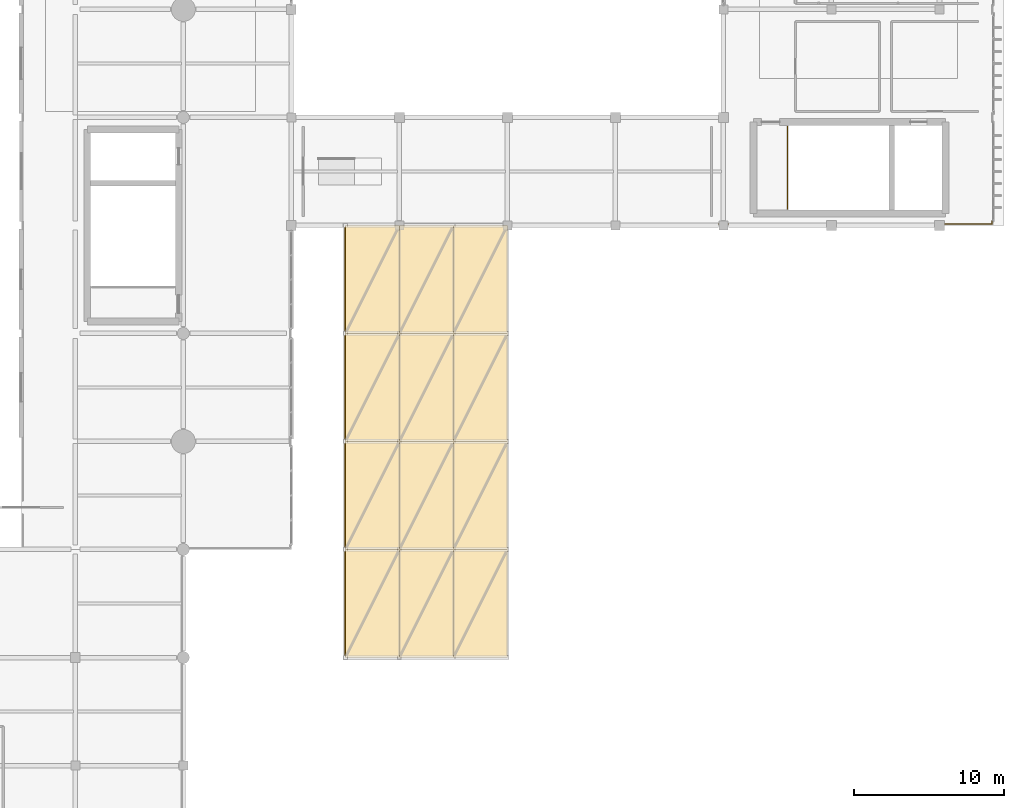
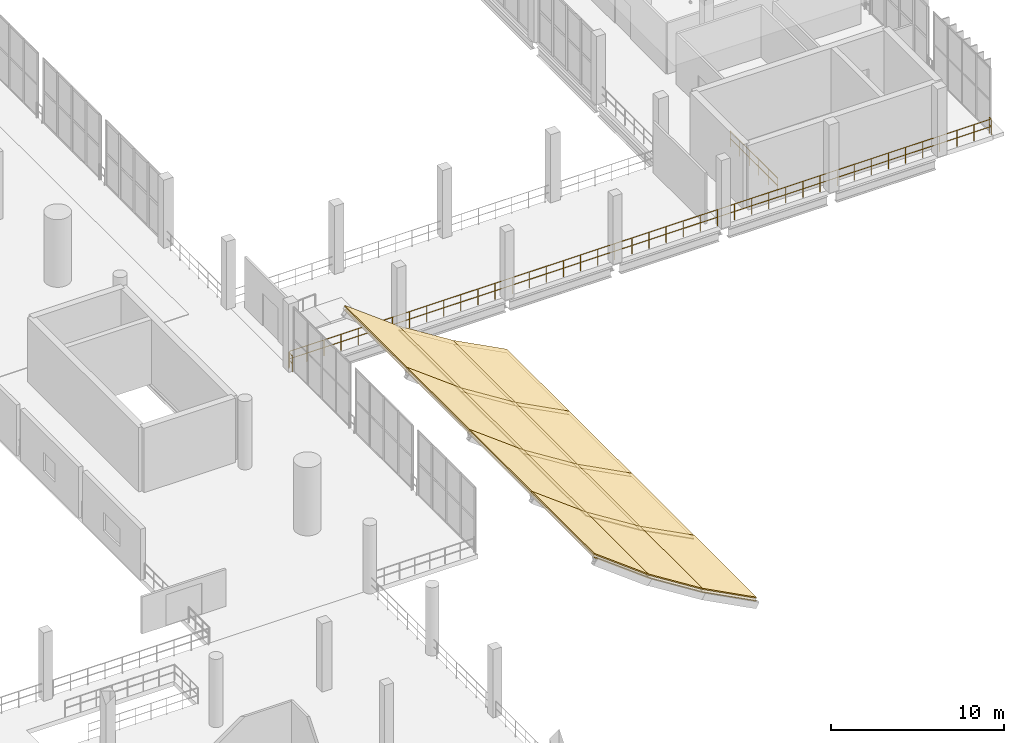
# One storey, part 103 of 105: 24 coverings, 2 railings.
"""IFC4 building model written with IfcOpenShell, lengths in metres."""

from ifc_helpers import new_model, si_unit, direction, frame, origin, origin_2d, place, context, subcontext, project, spatial, polyline, circle, outline, extrude, material, layer, layer_set, type_object, element, save


model = new_model("IFC4")

# Units and contexts
model_context = context("Model", 3, precision=1e-05, world=origin(), true_north=direction((0.0, 1.0)))
body_context = subcontext(model_context, "Body", "Model", "MODEL_VIEW")
ifc_project = project(units=[si_unit("LENGTHUNIT", "METRE"), si_unit("AREAUNIT", "SQUARE_METRE"), si_unit("VOLUMEUNIT", "CUBIC_METRE"), si_unit("PLANEANGLEUNIT", "RADIAN"), si_unit("MASSUNIT", "GRAM", prefix="KILO")], contexts=[model_context])

# Site, building, storey
site_placement = place(None, origin())
site = spatial("IfcSite", under=ifc_project, at=site_placement, CompositionType="ELEMENT")
building_placement = place(site_placement, origin())
building = spatial("IfcBuilding", under=site, at=building_placement, Name="Qandorah Velis Arena", CompositionType="ELEMENT")
storey_placement = place(building_placement, frame((0.0, 0.0, 13.800048828125)))
storey = spatial("IfcBuildingStorey", under=building, at=storey_placement, Name="L03", CompositionType="ELEMENT", Elevation=13.800048828125)

# Coverings
ifc_material_1 = material(Name="Glulam GL28h", Category="wood")
ifc_layer_1 = layer(ifc_material_1, 0.06494140625)
ifc_layer_set_1 = layer_set([ifc_layer_1], Name="Glulam GL28h")
covering_type_1 = type_object("IfcCoveringType", Name="ARC-COV-GLULAM", PredefinedType="CEILING", material=ifc_layer_set_1)
covering_1_placement = place(storey_placement, frame((126.0, 14.39990234375, 2.91845703125), z_axis=(0.601679998928, 0.0, 0.798737240205), x_axis=(0.798737240205, 0.0, -0.601679998928)))
element("IfcCovering", 1, at=covering_1_placement, inside=storey, type_object=covering_type_1, Name="Sweeping canopy Glulam GL28h acoustic soffit 1.04", PredefinedType="CEILING", context=body_context, shape_type="SweptSolid", body=[
    extrude(outline(polyline([(0.0, 0.0), (4.507236516638771, 0.0), (4.507236516638771, 7.2001953125), (0.0, 7.2001953125), (0.0, 0.0)])), origin(), (0.0, 0.0, -1.0), 0.06494140625),
])
covering_2_placement = place(storey_placement, frame((129.60009765625, 14.39990234375, 0.20654296875), z_axis=(0.533064356143, 0.0, 0.84607469659), x_axis=(0.84607469659, 0.0, -0.533064356143)))
element("IfcCovering", 2, at=covering_2_placement, inside=storey, type_object=covering_type_1, Name="Sweeping canopy Glulam GL28h acoustic soffit 1.05", PredefinedType="CEILING", context=body_context, shape_type="SweptSolid", body=[
    extrude(outline(polyline([(0.0, 0.0), (4.254770329538066, 0.0), (4.254770329538066, 7.2001953125), (0.0, 7.2001953125), (0.0, 0.0)])), origin(), (0.0, 0.0, -1.0), 0.06494140625),
])
covering_3_placement = place(storey_placement, frame((133.199951171875, 14.39990234375, -2.0615234375), z_axis=(0.464332383391, 0.0, 0.885661017396), x_axis=(0.885661017396, 0.0, -0.464332383391)))
element("IfcCovering", 3, at=covering_3_placement, inside=storey, type_object=covering_type_1, Name="Sweeping canopy Glulam GL28h acoustic soffit 1.06", PredefinedType="CEILING", context=body_context, shape_type="SweptSolid", body=[
    extrude(outline(polyline([(0.0, 0.0), (4.0648708541292, 0.0), (4.0648708541292, 7.200195312500002), (0.0, 7.200195312500002), (0.0, 0.0)])), origin(), (0.0, 0.0, -1.0), 0.06494140625),
])
covering_4_placement = place(storey_placement, frame((126.0, 21.60009765625, 2.91845703125), z_axis=(0.601679998928, 0.0, 0.798737240205), x_axis=(0.798737240205, 0.0, -0.601679998928)))
element("IfcCovering", 4, at=covering_4_placement, inside=storey, type_object=covering_type_1, Name="Sweeping canopy Glulam GL28h acoustic soffit 2.04", PredefinedType="CEILING", context=body_context, shape_type="SweptSolid", body=[
    extrude(outline(polyline([(0.0, 0.0), (4.507236516638771, 0.0), (4.507236516638771, 7.199951171875), (0.0, 7.199951171875), (0.0, 0.0)])), origin(), (0.0, 0.0, -1.0), 0.06494140625),
])
covering_5_placement = place(storey_placement, frame((129.60009765625, 21.60009765625, 0.20654296875), z_axis=(0.533064356143, 0.0, 0.84607469659), x_axis=(0.84607469659, 0.0, -0.533064356143)))
element("IfcCovering", 5, at=covering_5_placement, inside=storey, type_object=covering_type_1, Name="Sweeping canopy Glulam GL28h acoustic soffit 2.05", PredefinedType="CEILING", context=body_context, shape_type="SweptSolid", body=[
    extrude(outline(polyline([(0.0, 0.0), (4.254770329538066, 0.0), (4.254770329538066, 7.199951171875), (0.0, 7.199951171875), (0.0, 0.0)])), origin(), (0.0, 0.0, -1.0), 0.06494140625),
])
covering_6_placement = place(storey_placement, frame((133.199951171875, 21.60009765625, -2.0615234375), z_axis=(0.464332383391, 0.0, 0.885661017396), x_axis=(0.885661017396, 0.0, -0.464332383391)))
element("IfcCovering", 6, at=covering_6_placement, inside=storey, type_object=covering_type_1, Name="Sweeping canopy Glulam GL28h acoustic soffit 2.06", PredefinedType="CEILING", context=body_context, shape_type="SweptSolid", body=[
    extrude(outline(polyline([(0.0, 0.0), (4.0648708541292, 0.0), (4.0648708541292, 7.199951171875002), (0.0, 7.199951171875002), (0.0, 0.0)])), origin(), (0.0, 0.0, -1.0), 0.06494140625),
])
covering_7_placement = place(storey_placement, frame((126.0, 28.800048828125, 2.91845703125), z_axis=(0.601679998928, 0.0, 0.798737240205), x_axis=(0.798737240205, 0.0, -0.601679998928)))
element("IfcCovering", 7, at=covering_7_placement, inside=storey, type_object=covering_type_1, Name="Sweeping canopy Glulam GL28h acoustic soffit 3.04", PredefinedType="CEILING", context=body_context, shape_type="SweptSolid", body=[
    extrude(outline(polyline([(0.0, 0.0), (4.507236516638771, 0.0), (4.507236516638771, 7.199951171875), (0.0, 7.199951171875), (0.0, 0.0)])), origin(), (0.0, 0.0, -1.0), 0.06494140625),
])
covering_8_placement = place(storey_placement, frame((129.60009765625, 28.800048828125, 0.20654296875), z_axis=(0.533064356143, 0.0, 0.84607469659), x_axis=(0.84607469659, 0.0, -0.533064356143)))
element("IfcCovering", 8, at=covering_8_placement, inside=storey, type_object=covering_type_1, Name="Sweeping canopy Glulam GL28h acoustic soffit 3.05", PredefinedType="CEILING", context=body_context, shape_type="SweptSolid", body=[
    extrude(outline(polyline([(0.0, 0.0), (4.254770329538066, 0.0), (4.254770329538066, 7.199951171875), (0.0, 7.199951171875), (0.0, 0.0)])), origin(), (0.0, 0.0, -1.0), 0.06494140625),
])
covering_9_placement = place(storey_placement, frame((133.199951171875, 28.800048828125, -2.0615234375), z_axis=(0.464332383391, 0.0, 0.885661017396), x_axis=(0.885661017396, 0.0, -0.464332383391)))
element("IfcCovering", 9, at=covering_9_placement, inside=storey, type_object=covering_type_1, Name="Sweeping canopy Glulam GL28h acoustic soffit 3.06", PredefinedType="CEILING", context=body_context, shape_type="SweptSolid", body=[
    extrude(outline(polyline([(0.0, 0.0), (4.0648708541292, 0.0), (4.0648708541292, 7.199951171875002), (0.0, 7.199951171875002), (0.0, 0.0)])), origin(), (0.0, 0.0, -1.0), 0.06494140625),
])
covering_10_placement = place(storey_placement, frame((126.0, 36.0, 2.91845703125), z_axis=(0.601679998928, 0.0, 0.798737240205), x_axis=(0.798737240205, 0.0, -0.601679998928)))
element("IfcCovering", 10, at=covering_10_placement, inside=storey, type_object=covering_type_1, Name="Sweeping canopy Glulam GL28h acoustic soffit 4.04", PredefinedType="CEILING", context=body_context, shape_type="SweptSolid", body=[
    extrude(outline(polyline([(0.0, 0.0), (4.507236516638771, 0.0), (4.507236516638771, 7.199951171875), (0.0, 7.199951171875), (0.0, 0.0)])), origin(), (0.0, 0.0, -1.0), 0.06494140625),
])
covering_11_placement = place(storey_placement, frame((129.60009765625, 36.0, 0.20654296875), z_axis=(0.533064356143, 0.0, 0.84607469659), x_axis=(0.84607469659, 0.0, -0.533064356143)))
element("IfcCovering", 11, at=covering_11_placement, inside=storey, type_object=covering_type_1, Name="Sweeping canopy Glulam GL28h acoustic soffit 4.05", PredefinedType="CEILING", context=body_context, shape_type="SweptSolid", body=[
    extrude(outline(polyline([(0.0, 0.0), (4.254770329538066, 0.0), (4.254770329538066, 7.199951171875), (0.0, 7.199951171875), (0.0, 0.0)])), origin(), (0.0, 0.0, -1.0), 0.06494140625),
])
covering_12_placement = place(storey_placement, frame((133.199951171875, 36.0, -2.0615234375), z_axis=(0.464332383391, 0.0, 0.885661017396), x_axis=(0.885661017396, 0.0, -0.464332383391)))
element("IfcCovering", 12, at=covering_12_placement, inside=storey, type_object=covering_type_1, Name="Sweeping canopy Glulam GL28h acoustic soffit 4.06", PredefinedType="CEILING", context=body_context, shape_type="SweptSolid", body=[
    extrude(outline(polyline([(0.0, 0.0), (4.0648708541292, 0.0), (4.0648708541292, 7.199951171875002), (0.0, 7.199951171875002), (0.0, 0.0)])), origin(), (0.0, 0.0, -1.0), 0.06494140625),
])
ifc_material_2 = material(Name="Insulated high-albedo standing-seam aluminium roofing", Category="aluminium")
ifc_layer_2 = layer(ifc_material_2, 0.080078125)
ifc_layer_set_2 = layer_set([ifc_layer_2], Name="Insulated high-albedo standing-seam aluminium roofing")
covering_type_2 = type_object("IfcCoveringType", Name="ARC-COV-ROOF", PredefinedType="ROOFING", material=ifc_layer_set_2)
covering_13_placement = place(storey_placement, frame((126.0, 14.39990234375, 3.16357421875), z_axis=(0.601714554361, 0.0, 0.798711208805), x_axis=(0.798711208805, 0.0, -0.601714554361)))
element("IfcCovering", 13, at=covering_13_placement, inside=storey, type_object=covering_type_2, Name="Sweeping canopy standing-seam roof 1.04", PredefinedType="ROOFING", context=body_context, shape_type="SweptSolid", body=[
    extrude(outline(polyline([(0.0, 0.0), (4.50738341538802, 0.0), (4.50738341538802, 7.200195312499999), (0.0, 7.200195312499999), (0.0, 0.0)])), origin(), (0.0, 0.0, -1.0), 0.074951171875),
])
covering_14_placement = place(storey_placement, frame((129.60009765625, 14.39990234375, 0.451416015625), z_axis=(0.533023278901, 0.0, 0.84610057567), x_axis=(0.84610057567, 0.0, -0.533023278901)))
element("IfcCovering", 14, at=covering_14_placement, inside=storey, type_object=covering_type_2, Name="Sweeping canopy standing-seam roof 1.05", PredefinedType="ROOFING", context=body_context, shape_type="SweptSolid", body=[
    extrude(outline(polyline([(0.0, 0.0), (4.254640191887227, 0.0), (4.254640191887227, 7.2001953125), (0.0, 7.2001953125), (0.0, 0.0)])), origin(), (0.0, 0.0, -1.0), 0.074951171875),
])
covering_15_placement = place(storey_placement, frame((133.199951171875, 14.39990234375, -1.81640625), z_axis=(0.464379493075, 0.0, 0.885636317238), x_axis=(0.885636317238, 0.0, -0.464379493075)))
element("IfcCovering", 15, at=covering_15_placement, inside=storey, type_object=covering_type_2, Name="Sweeping canopy standing-seam roof 1.06", PredefinedType="ROOFING", context=body_context, shape_type="SweptSolid", body=[
    extrude(outline(polyline([(0.0, 0.0), (4.064984222278264, 0.0), (4.064984222278264, 7.2001953125), (0.0, 7.2001953125), (0.0, 0.0)])), origin(), (0.0, 0.0, -1.0), 0.074951171875),
])
covering_16_placement = place(storey_placement, frame((126.0, 21.60009765625, 3.16357421875), z_axis=(0.601714554361, 0.0, 0.798711208805), x_axis=(0.798711208805, 0.0, -0.601714554361)))
element("IfcCovering", 16, at=covering_16_placement, inside=storey, type_object=covering_type_2, Name="Sweeping canopy standing-seam roof 2.04", PredefinedType="ROOFING", context=body_context, shape_type="SweptSolid", body=[
    extrude(outline(polyline([(0.0, 0.0), (4.50738341538802, 0.0), (4.50738341538802, 7.199951171874999), (0.0, 7.199951171874999), (0.0, 0.0)])), origin(), (0.0, 0.0, -1.0), 0.074951171875),
])
covering_17_placement = place(storey_placement, frame((129.60009765625, 21.60009765625, 0.451416015625), z_axis=(0.533023278901, 0.0, 0.84610057567), x_axis=(0.84610057567, 0.0, -0.533023278901)))
element("IfcCovering", 17, at=covering_17_placement, inside=storey, type_object=covering_type_2, Name="Sweeping canopy standing-seam roof 2.05", PredefinedType="ROOFING", context=body_context, shape_type="SweptSolid", body=[
    extrude(outline(polyline([(0.0, 0.0), (4.254640191887227, 0.0), (4.254640191887227, 7.199951171875), (0.0, 7.199951171875), (0.0, 0.0)])), origin(), (0.0, 0.0, -1.0), 0.074951171875),
])
covering_18_placement = place(storey_placement, frame((133.199951171875, 21.60009765625, -1.81640625), z_axis=(0.464379493075, 0.0, 0.885636317238), x_axis=(0.885636317238, 0.0, -0.464379493075)))
element("IfcCovering", 18, at=covering_18_placement, inside=storey, type_object=covering_type_2, Name="Sweeping canopy standing-seam roof 2.06", PredefinedType="ROOFING", context=body_context, shape_type="SweptSolid", body=[
    extrude(outline(polyline([(0.0, 0.0), (4.064984222278264, 0.0), (4.064984222278264, 7.199951171875), (0.0, 7.199951171875), (0.0, 0.0)])), origin(), (0.0, 0.0, -1.0), 0.074951171875),
])
covering_19_placement = place(storey_placement, frame((126.0, 28.800048828125, 3.16357421875), z_axis=(0.601714554361, 0.0, 0.798711208805), x_axis=(0.798711208805, 0.0, -0.601714554361)))
element("IfcCovering", 19, at=covering_19_placement, inside=storey, type_object=covering_type_2, Name="Sweeping canopy standing-seam roof 3.04", PredefinedType="ROOFING", context=body_context, shape_type="SweptSolid", body=[
    extrude(outline(polyline([(0.0, 0.0), (4.50738341538802, 0.0), (4.50738341538802, 7.199951171874999), (0.0, 7.199951171874999), (0.0, 0.0)])), origin(), (0.0, 0.0, -1.0), 0.074951171875),
])
covering_20_placement = place(storey_placement, frame((129.60009765625, 28.800048828125, 0.451416015625), z_axis=(0.533023278901, 0.0, 0.84610057567), x_axis=(0.84610057567, 0.0, -0.533023278901)))
element("IfcCovering", 20, at=covering_20_placement, inside=storey, type_object=covering_type_2, Name="Sweeping canopy standing-seam roof 3.05", PredefinedType="ROOFING", context=body_context, shape_type="SweptSolid", body=[
    extrude(outline(polyline([(0.0, 0.0), (4.254640191887227, 0.0), (4.254640191887227, 7.199951171875), (0.0, 7.199951171875), (0.0, 0.0)])), origin(), (0.0, 0.0, -1.0), 0.074951171875),
])
covering_21_placement = place(storey_placement, frame((133.199951171875, 28.800048828125, -1.81640625), z_axis=(0.464379493075, 0.0, 0.885636317238), x_axis=(0.885636317238, 0.0, -0.464379493075)))
element("IfcCovering", 21, at=covering_21_placement, inside=storey, type_object=covering_type_2, Name="Sweeping canopy standing-seam roof 3.06", PredefinedType="ROOFING", context=body_context, shape_type="SweptSolid", body=[
    extrude(outline(polyline([(0.0, 0.0), (4.064984222278264, 0.0), (4.064984222278264, 7.199951171875), (0.0, 7.199951171875), (0.0, 0.0)])), origin(), (0.0, 0.0, -1.0), 0.074951171875),
])
covering_22_placement = place(storey_placement, frame((126.0, 36.0, 3.16357421875), z_axis=(0.601714554361, 0.0, 0.798711208805), x_axis=(0.798711208805, 0.0, -0.601714554361)))
element("IfcCovering", 22, at=covering_22_placement, inside=storey, type_object=covering_type_2, Name="Sweeping canopy standing-seam roof 4.04", PredefinedType="ROOFING", context=body_context, shape_type="SweptSolid", body=[
    extrude(outline(polyline([(0.0, 0.0), (4.50738341538802, 0.0), (4.50738341538802, 7.199951171874999), (0.0, 7.199951171874999), (0.0, 0.0)])), origin(), (0.0, 0.0, -1.0), 0.074951171875),
])
covering_23_placement = place(storey_placement, frame((129.60009765625, 36.0, 0.451416015625), z_axis=(0.533023278901, 0.0, 0.84610057567), x_axis=(0.84610057567, 0.0, -0.533023278901)))
element("IfcCovering", 23, at=covering_23_placement, inside=storey, type_object=covering_type_2, Name="Sweeping canopy standing-seam roof 4.05", PredefinedType="ROOFING", context=body_context, shape_type="SweptSolid", body=[
    extrude(outline(polyline([(0.0, 0.0), (4.254640191887227, 0.0), (4.254640191887227, 7.199951171875), (0.0, 7.199951171875), (0.0, 0.0)])), origin(), (0.0, 0.0, -1.0), 0.074951171875),
])
covering_24_placement = place(storey_placement, frame((133.199951171875, 36.0, -1.81640625), z_axis=(0.464379493075, 0.0, 0.885636317238), x_axis=(0.885636317238, 0.0, -0.464379493075)))
element("IfcCovering", 24, at=covering_24_placement, inside=storey, type_object=covering_type_2, Name="Sweeping canopy standing-seam roof 4.06", PredefinedType="ROOFING", context=body_context, shape_type="SweptSolid", body=[
    extrude(outline(polyline([(0.0, 0.0), (4.064984222278264, 0.0), (4.064984222278264, 7.199951171875), (0.0, 7.199951171875), (0.0, 0.0)])), origin(), (0.0, 0.0, -1.0), 0.074951171875),
])

# Railings
ifc_material_3 = material(Name="Stainless steel 316", Category="steel")
railing_type = type_object("IfcRailingType", Name="ARC-RL-GRD1150", PredefinedType="GUARDRAIL", material=ifc_material_3)
railing_1_placement = place(storey_placement, frame((155.469970703125, 44.31005859375, 0.0)))
element("IfcRailing", 25, at=railing_1_placement, inside=storey, type_object=railing_type, Name="Stair ST7 top well guardrail L03", PredefinedType="GUARDRAIL", context=body_context, shape_type="SweptSolid", body=[
    extrude(circle(Radius=0.02392578125, at=origin_2d()), frame((0.0, 0.0, 1.1259765625), z_axis=(0.0, 1.0, 0.0), x_axis=(-1.0, 0.0, 0.0)), (0.0, 0.0, 1.0), 5.47998046875),
    extrude(circle(Radius=0.02392578125, at=origin_2d()), frame((0.0, 0.0, 0.597900390625), z_axis=(0.0, 1.0, 0.0), x_axis=(-1.0, 0.0, 0.0)), (0.0, 0.0, 1.0), 5.47998046875),
    extrude(circle(Radius=0.02099609375, at=origin_2d()), origin(), (0.0, 0.0, 1.0), 1.101806640625),
    extrude(circle(Radius=0.02099609375, at=origin_2d()), frame((0.0, 1.095947265625, 0.0)), (0.0, 0.0, 1.0), 1.101806640625),
    extrude(circle(Radius=0.02099609375, at=origin_2d()), frame((0.0, 2.19189453125, 0.0)), (0.0, 0.0, 1.0), 1.101806640625),
    extrude(circle(Radius=0.02099609375, at=origin_2d()), frame((0.0, 3.2880859375, 0.0)), (0.0, 0.0, 1.0), 1.101806640625),
    extrude(circle(Radius=0.02099609375, at=origin_2d()), frame((0.0, 4.384033203125, 0.0)), (0.0, 0.0, 1.0), 1.101806640625),
    extrude(circle(Radius=0.02099609375, at=origin_2d()), frame((0.0, 5.47998046875, 0.0)), (0.0, 0.0, 1.0), 1.101806640625),
])
railing_2_placement = place(storey_placement, frame((169.10009765625, 43.5, 0.0)))
element("IfcRailing", 26, at=railing_2_placement, inside=storey, type_object=railing_type, Name="Slab edge safety guardrail L03-202", PredefinedType="GUARDRAIL", context=body_context, shape_type="SweptSolid", body=[
    extrude(circle(Radius=0.02392578125, at=origin_2d()), frame((0.0, 0.0, 1.1259765625), z_axis=(0.0, -1.0, 0.0), x_axis=(1.0, 0.0, 0.0)), (0.0, 0.0, 1.0), 0.199951171875),
    extrude(circle(Radius=0.02392578125, at=origin_2d()), frame((0.0, 0.0, 0.597900390625), z_axis=(0.0, -1.0, 0.0), x_axis=(1.0, 0.0, 0.0)), (0.0, 0.0, 1.0), 0.199951171875),
    extrude(circle(Radius=0.02392578125, at=origin_2d()), frame((0.0, -0.199951171875, 1.1259765625), z_axis=(-1.0, 0.0, 0.0), x_axis=(0.0, -1.0, 0.0)), (0.0, 0.0, 1.0), 46.7001953125),
    extrude(circle(Radius=0.02392578125, at=origin_2d()), frame((0.0, -0.199951171875, 0.597900390625), z_axis=(-1.0, 0.0, 0.0), x_axis=(0.0, -1.0, 0.0)), (0.0, 0.0, 1.0), 46.7001953125),
    extrude(circle(Radius=0.02392578125, at=origin_2d()), frame((-46.7001953125, -0.199951171875, 1.1259765625), z_axis=(-0.77215252196, -0.635437237523, 0.0), x_axis=(0.635437237523, -0.77215252196, 0.0)), (0.0, 0.0, 1.0), 0.126708984375),
    extrude(circle(Radius=0.02392578125, at=origin_2d()), frame((-46.7001953125, -0.199951171875, 0.597900390625), z_axis=(-0.77215252196, -0.635437237523, 0.0), x_axis=(0.635437237523, -0.77215252196, 0.0)), (0.0, 0.0, 1.0), 0.126708984375),
    extrude(circle(Radius=0.02392578125, at=origin_2d()), frame((-46.798095703125, -0.280517578125, 1.1259765625), z_axis=(-0.00528743435, -0.999986021421, 0.0), x_axis=(0.999986021421, -0.00528743435, 0.0)), (0.0, 0.0, 1.0), 0.369384765625),
    extrude(circle(Radius=0.02392578125, at=origin_2d()), frame((-46.798095703125, -0.280517578125, 0.597900390625), z_axis=(-0.00528743435, -0.999986021421, 0.0), x_axis=(0.999986021421, -0.00528743435, 0.0)), (0.0, 0.0, 1.0), 0.369384765625),
    extrude(circle(Radius=0.02099609375, at=origin_2d()), origin(), (0.0, 0.0, 1.0), 1.101806640625),
    extrude(circle(Radius=0.02099609375, at=origin_2d()), frame((0.0, -0.199951171875, 0.0)), (0.0, 0.0, 1.0), 1.101806640625),
    extrude(circle(Radius=0.02099609375, at=origin_2d()), frame((-1.138916015625, -0.199951171875, 0.0)), (0.0, 0.0, 1.0), 1.101806640625),
    extrude(circle(Radius=0.02099609375, at=origin_2d()), frame((-2.278076171875, -0.199951171875, 0.0)), (0.0, 0.0, 1.0), 1.101806640625),
    extrude(circle(Radius=0.02099609375, at=origin_2d()), frame((-3.4169921875, -0.199951171875, 0.0)), (0.0, 0.0, 1.0), 1.101806640625),
    extrude(circle(Radius=0.02099609375, at=origin_2d()), frame((-4.55615234375, -0.199951171875, 0.0)), (0.0, 0.0, 1.0), 1.101806640625),
    extrude(circle(Radius=0.02099609375, at=origin_2d()), frame((-5.695068359375, -0.199951171875, 0.0)), (0.0, 0.0, 1.0), 1.101806640625),
    extrude(circle(Radius=0.02099609375, at=origin_2d()), frame((-6.834228515625, -0.199951171875, 0.0)), (0.0, 0.0, 1.0), 1.101806640625),
    extrude(circle(Radius=0.02099609375, at=origin_2d()), frame((-7.97314453125, -0.199951171875, 0.0)), (0.0, 0.0, 1.0), 1.101806640625),
    extrude(circle(Radius=0.02099609375, at=origin_2d()), frame((-9.1123046875, -0.199951171875, 0.0)), (0.0, 0.0, 1.0), 1.101806640625),
    extrude(circle(Radius=0.02099609375, at=origin_2d()), frame((-10.251220703125, -0.199951171875, 0.0)), (0.0, 0.0, 1.0), 1.101806640625),
    extrude(circle(Radius=0.02099609375, at=origin_2d()), frame((-11.390380859375, -0.199951171875, 0.0)), (0.0, 0.0, 1.0), 1.101806640625),
    extrude(circle(Radius=0.02099609375, at=origin_2d()), frame((-12.529296875, -0.199951171875, 0.0)), (0.0, 0.0, 1.0), 1.101806640625),
    extrude(circle(Radius=0.02099609375, at=origin_2d()), frame((-13.66845703125, -0.199951171875, 0.0)), (0.0, 0.0, 1.0), 1.101806640625),
    extrude(circle(Radius=0.02099609375, at=origin_2d()), frame((-14.807373046875, -0.199951171875, 0.0)), (0.0, 0.0, 1.0), 1.101806640625),
    extrude(circle(Radius=0.02099609375, at=origin_2d()), frame((-15.9462890625, -0.199951171875, 0.0)), (0.0, 0.0, 1.0), 1.101806640625),
    extrude(circle(Radius=0.02099609375, at=origin_2d()), frame((-17.08544921875, -0.199951171875, 0.0)), (0.0, 0.0, 1.0), 1.101806640625),
    extrude(circle(Radius=0.02099609375, at=origin_2d()), frame((-18.224365234375, -0.199951171875, 0.0)), (0.0, 0.0, 1.0), 1.101806640625),
    extrude(circle(Radius=0.02099609375, at=origin_2d()), frame((-19.363525390625, -0.199951171875, 0.0)), (0.0, 0.0, 1.0), 1.101806640625),
    extrude(circle(Radius=0.02099609375, at=origin_2d()), frame((-20.50244140625, -0.199951171875, 0.0)), (0.0, 0.0, 1.0), 1.101806640625),
    extrude(circle(Radius=0.02099609375, at=origin_2d()), frame((-21.6416015625, -0.199951171875, 0.0)), (0.0, 0.0, 1.0), 1.101806640625),
    extrude(circle(Radius=0.02099609375, at=origin_2d()), frame((-22.780517578125, -0.199951171875, 0.0)), (0.0, 0.0, 1.0), 1.101806640625),
    extrude(circle(Radius=0.02099609375, at=origin_2d()), frame((-23.919677734375, -0.199951171875, 0.0)), (0.0, 0.0, 1.0), 1.101806640625),
    extrude(circle(Radius=0.02099609375, at=origin_2d()), frame((-25.05859375, -0.199951171875, 0.0)), (0.0, 0.0, 1.0), 1.101806640625),
    extrude(circle(Radius=0.02099609375, at=origin_2d()), frame((-26.19775390625, -0.199951171875, 0.0)), (0.0, 0.0, 1.0), 1.101806640625),
    extrude(circle(Radius=0.02099609375, at=origin_2d()), frame((-27.336669921875, -0.199951171875, 0.0)), (0.0, 0.0, 1.0), 1.101806640625),
    extrude(circle(Radius=0.02099609375, at=origin_2d()), frame((-28.475830078125, -0.199951171875, 0.0)), (0.0, 0.0, 1.0), 1.101806640625),
    extrude(circle(Radius=0.02099609375, at=origin_2d()), frame((-29.61474609375, -0.199951171875, 0.0)), (0.0, 0.0, 1.0), 1.101806640625),
    extrude(circle(Radius=0.02099609375, at=origin_2d()), frame((-30.75390625, -0.199951171875, 0.0)), (0.0, 0.0, 1.0), 1.101806640625),
    extrude(circle(Radius=0.02099609375, at=origin_2d()), frame((-31.892822265625, -0.199951171875, 0.0)), (0.0, 0.0, 1.0), 1.101806640625),
    extrude(circle(Radius=0.02099609375, at=origin_2d()), frame((-33.03173828125, -0.199951171875, 0.0)), (0.0, 0.0, 1.0), 1.101806640625),
    extrude(circle(Radius=0.02099609375, at=origin_2d()), frame((-34.1708984375, -0.199951171875, 0.0)), (0.0, 0.0, 1.0), 1.101806640625),
    extrude(circle(Radius=0.02099609375, at=origin_2d()), frame((-35.309814453125, -0.199951171875, 0.0)), (0.0, 0.0, 1.0), 1.101806640625),
    extrude(circle(Radius=0.02099609375, at=origin_2d()), frame((-36.448974609375, -0.199951171875, 0.0)), (0.0, 0.0, 1.0), 1.101806640625),
    extrude(circle(Radius=0.02099609375, at=origin_2d()), frame((-37.587890625, -0.199951171875, 0.0)), (0.0, 0.0, 1.0), 1.101806640625),
    extrude(circle(Radius=0.02099609375, at=origin_2d()), frame((-38.72705078125, -0.199951171875, 0.0)), (0.0, 0.0, 1.0), 1.101806640625),
    extrude(circle(Radius=0.02099609375, at=origin_2d()), frame((-39.865966796875, -0.199951171875, 0.0)), (0.0, 0.0, 1.0), 1.101806640625),
    extrude(circle(Radius=0.02099609375, at=origin_2d()), frame((-41.005126953125, -0.199951171875, 0.0)), (0.0, 0.0, 1.0), 1.101806640625),
    extrude(circle(Radius=0.02099609375, at=origin_2d()), frame((-42.14404296875, -0.199951171875, 0.0)), (0.0, 0.0, 1.0), 1.101806640625),
    extrude(circle(Radius=0.02099609375, at=origin_2d()), frame((-43.283203125, -0.199951171875, 0.0)), (0.0, 0.0, 1.0), 1.101806640625),
    extrude(circle(Radius=0.02099609375, at=origin_2d()), frame((-44.422119140625, -0.199951171875, 0.0)), (0.0, 0.0, 1.0), 1.101806640625),
    extrude(circle(Radius=0.02099609375, at=origin_2d()), frame((-45.561279296875, -0.199951171875, 0.0)), (0.0, 0.0, 1.0), 1.101806640625),
    extrude(circle(Radius=0.02099609375, at=origin_2d()), frame((-46.7001953125, -0.199951171875, 0.0)), (0.0, 0.0, 1.0), 1.101806640625),
    extrude(circle(Radius=0.02099609375, at=origin_2d()), frame((-46.798095703125, -0.280517578125, 0.0)), (0.0, 0.0, 1.0), 1.101806640625),
    extrude(circle(Radius=0.02099609375, at=origin_2d()), frame((-46.800048828125, -0.64990234375, 0.0)), (0.0, 0.0, 1.0), 1.101806640625),
])

save(model, "model.ifc")
